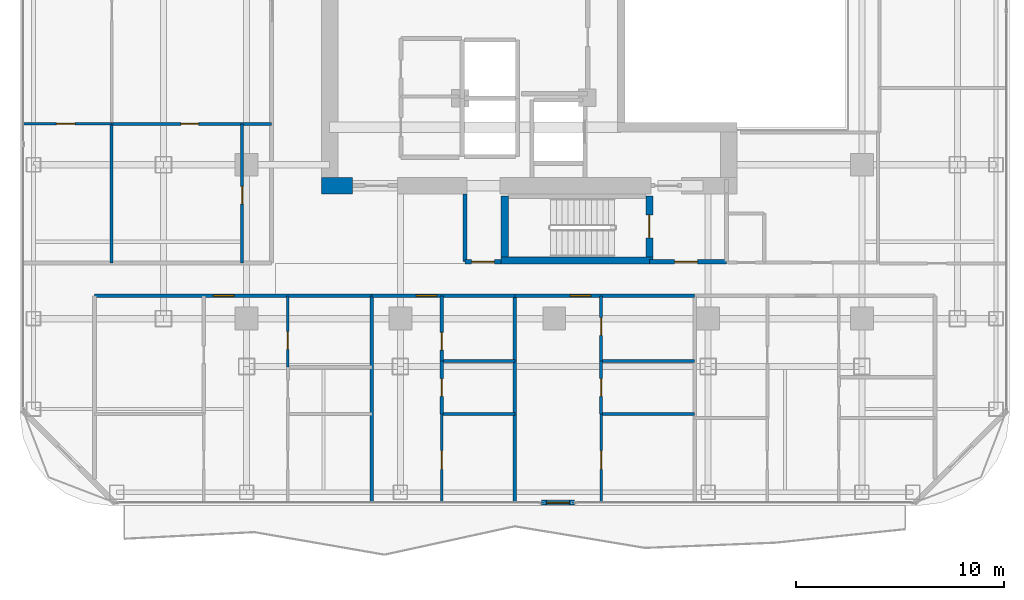
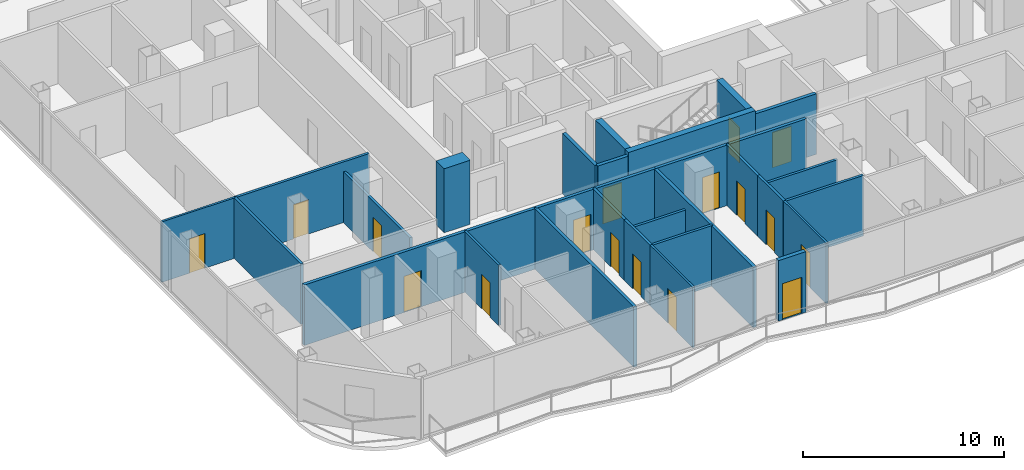
# One storey, part 18 of 25: 28 walls, 17 doors, 17 openings.
"""IFC4 building model written with IfcOpenShell, lengths in metres."""

from ifc_helpers import new_model, si_unit, direction, frame, frame_2d, origin, place, context, subcontext, project, spatial, rectangle, extrude, material, layer, layer_set, type_object, element, fill, save


model = new_model("IFC4")

# Units and contexts
model_context = context("Model", 3, precision=1e-05, world=origin(), true_north=direction((0.0, 1.0)))
body_context = subcontext(model_context, "Body", "Model", "MODEL_VIEW")
ifc_project = project(units=[si_unit("LENGTHUNIT", "METRE"), si_unit("AREAUNIT", "SQUARE_METRE"), si_unit("VOLUMEUNIT", "CUBIC_METRE"), si_unit("PLANEANGLEUNIT", "RADIAN"), si_unit("MASSUNIT", "GRAM", prefix="KILO")], contexts=[model_context])

# Site, building, storey
site_placement = place(None, origin())
site = spatial("IfcSite", under=ifc_project, at=site_placement, CompositionType="ELEMENT")
building_placement = place(site_placement, origin())
building = spatial("IfcBuilding", under=site, at=building_placement, Name="Khorvyn Point Tower", CompositionType="ELEMENT")
storey_placement = place(building_placement, frame((0.0, 0.0, 171.89990234375)))
storey = spatial("IfcBuildingStorey", under=building, at=storey_placement, Name="L42", CompositionType="ELEMENT", Elevation=171.89990234375)

# Wall, opening, door
ifc_material_1 = material(Name="Double acoustic gypsum on twin steel stud", Category="steel")
ifc_layer_1 = layer(ifc_material_1, 0.179931640625)
ifc_layer_set_1 = layer_set([ifc_layer_1], Name="Acoustic Double-Stud Apartment Demising Wall 180")
wall_type_1 = type_object("IfcWallType", Name="Acoustic Double-Stud Apartment Demising Wall 180", PredefinedType="PARTITIONING", material=ifc_layer_set_1)
wall_1_placement = place(storey_placement, frame((-22.1201171875, -13.699951171875, 0.0), z_axis=(0.0, 0.0, 1.0), x_axis=(1.0, 0.0, 0.0)))
wall_1 = element("IfcWall", 1, at=wall_1_placement, inside=storey, type_object=wall_type_1, Name="Wall", PredefinedType="PARTITIONING", context=body_context, shape_type="SweptSolid", body=[
    extrude(rectangle(XDim=13.34521484375, YDim=0.179931640625, at=frame_2d((6.672607421875, 0.0))), origin(), (0.0, 0.0, 1.0), 3.68017578125),
])
opening_1_placement = place(wall_1_placement, frame((5.723876953125, 0.0, 0.0)))
opening_1 = element("IfcOpeningElement", 2, at=opening_1_placement, cuts=wall_1, Name="Opening ID-AP60", PredefinedType="OPENING", context=body_context, shape_type="SweptSolid", body=[
    extrude(rectangle(XDim=1.0, YDim=2.199951171875, at=frame_2d((0.5, 1.10009765625))), frame((0.0, 0.099853515625, 0.0), z_axis=(0.0, -1.0, 0.0), x_axis=(1.0, 0.0, 0.0)), (0.0, 0.0, 1.0), 0.199951171875),
])
ifc_material_2 = material(Name="Engineered hardwood fire-rated leaf", Category="wood")
door_type_1 = type_object("IfcDoorType", Name="Acoustic Solid-Core Timber Apartment Entrance Door 1000x2200", OperationType="NOTDEFINED", PredefinedType="DOOR", material=ifc_material_2)
door_1_placement = place(opening_1_placement, origin())
door_1 = element("IfcDoor", 3, at=door_1_placement, inside=storey, type_object=door_type_1, Name="Door", OperationType="SINGLE_SWING_LEFT", OverallHeight=2.199951171875, OverallWidth=1.0, PredefinedType="DOOR", context=body_context, shape_type="SweptSolid", body=[
    extrude(rectangle(XDim=1.0, YDim=2.199951171875, at=frame_2d((0.5, 1.10009765625))), frame((0.0, 0.02490234375, 0.0), z_axis=(0.0, -1.0, 0.0), x_axis=(1.0, 0.0, 0.0)), (0.0, 0.0, 1.0), 0.050048828125),
])
fill(opening_1, door_1)

wall_2_placement = place(storey_placement, frame((-8.77490234375, -13.699951171875, 0.0), z_axis=(0.0, 0.0, 1.0), x_axis=(1.0, 0.0, 0.0)))
wall_2 = element("IfcWall", 4, at=wall_2_placement, inside=storey, type_object=wall_type_1, Name="Wall", PredefinedType="PARTITIONING", context=body_context, shape_type="SweptSolid", body=[
    extrude(rectangle(XDim=6.875, YDim=0.179931640625, at=frame_2d((3.4375, 0.0))), origin(), (0.0, 0.0, 1.0), 3.68017578125),
])
opening_2_placement = place(wall_2_placement, frame((2.131103515625, 0.0, 0.0)))
opening_2 = element("IfcOpeningElement", 5, at=opening_2_placement, cuts=wall_2, Name="Opening ID-AP60", PredefinedType="OPENING", context=body_context, shape_type="SweptSolid", body=[
    extrude(rectangle(XDim=1.0, YDim=2.199951171875, at=frame_2d((0.5, 1.10009765625))), frame((0.0, 0.099853515625, 0.0), z_axis=(0.0, -1.0, 0.0), x_axis=(1.0, 0.0, 0.0)), (0.0, 0.0, 1.0), 0.199951171875),
])
door_2_placement = place(opening_2_placement, origin())
door_2 = element("IfcDoor", 6, at=door_2_placement, inside=storey, type_object=door_type_1, Name="Door", OperationType="SINGLE_SWING_LEFT", OverallHeight=2.199951171875, OverallWidth=1.0, PredefinedType="DOOR", context=body_context, shape_type="SweptSolid", body=[
    extrude(rectangle(XDim=1.0, YDim=2.199951171875, at=frame_2d((0.5, 1.10009765625))), frame((0.0, 0.02490234375, 0.0), z_axis=(0.0, -1.0, 0.0), x_axis=(1.0, 0.0, 0.0)), (0.0, 0.0, 1.0), 0.050048828125),
])
fill(opening_2, door_2)

wall_3_placement = place(storey_placement, frame((-1.89990234375, -13.699951171875, 0.0), z_axis=(0.0, 0.0, 1.0), x_axis=(1.0, 0.0, 0.0)))
wall_3 = element("IfcWall", 7, at=wall_3_placement, inside=storey, type_object=wall_type_1, Name="Wall", PredefinedType="PARTITIONING", context=body_context, shape_type="SweptSolid", body=[
    extrude(rectangle(XDim=8.65380859375, YDim=0.179931640625, at=frame_2d((4.326904296875, 0.0))), origin(), (0.0, 0.0, 1.0), 3.68017578125),
])
opening_3_placement = place(wall_3_placement, frame((2.664306640625, 0.0, 0.0)))
opening_3 = element("IfcOpeningElement", 8, at=opening_3_placement, cuts=wall_3, Name="Opening ID-AP60", PredefinedType="OPENING", context=body_context, shape_type="SweptSolid", body=[
    extrude(rectangle(XDim=1.0, YDim=2.199951171875, at=frame_2d((0.5, 1.10009765625))), frame((0.0, 0.099853515625, 0.0), z_axis=(0.0, -1.0, 0.0), x_axis=(1.0, 0.0, 0.0)), (0.0, 0.0, 1.0), 0.199951171875),
])
door_3_placement = place(opening_3_placement, origin())
door_3 = element("IfcDoor", 9, at=door_3_placement, inside=storey, type_object=door_type_1, Name="Door", OperationType="SINGLE_SWING_LEFT", OverallHeight=2.199951171875, OverallWidth=1.0, PredefinedType="DOOR", context=body_context, shape_type="SweptSolid", body=[
    extrude(rectangle(XDim=1.0, YDim=2.199951171875, at=frame_2d((0.5, 1.10009765625))), frame((0.0, 0.02490234375, 0.0), z_axis=(0.0, -1.0, 0.0), x_axis=(1.0, 0.0, 0.0)), (0.0, 0.0, 1.0), 0.050048828125),
])
fill(opening_3, door_3)

# Walls
for number, where, z_axis, x_axis, name in (
    (10, (-8.77490234375, -23.6298828125, 0.0), (0.0, 0.0, 1.0), (0.0, 1.0, 0.0), "Wall"),
    (11, (-1.89990234375, -23.6298828125, 0.0), (0.0, 0.0, 1.0), (0.0, 1.0, 0.0), "Wall"),
):
    element("IfcWall", number, at=place(storey_placement, frame(where, z_axis=z_axis, x_axis=x_axis)), inside=storey, type_object=wall_type_1, Name=name, PredefinedType="PARTITIONING", context=body_context, shape_type="SweptSolid", body=[
        extrude(rectangle(XDim=9.929931640625, YDim=0.179931640625, at=frame_2d((4.96484375, 0.0))), origin(), (0.0, 0.0, 1.0), 3.68017578125),
    ])

# Wall, opening, door
ifc_material_3 = material(Name="Pale anodised aluminium rainscreen on steel stud", Category="steel")
ifc_layer_2 = layer(ifc_material_3, 0.239990234375)
ifc_layer_set_2 = layer_set([ifc_layer_2], Name="Anodised Aluminium Insulated Corner Spandrel Wall 240")
wall_type_2 = type_object("IfcWallType", Name="Anodised Aluminium Insulated Corner Spandrel Wall 240", PredefinedType="SOLIDWALL", material=ifc_layer_set_2)
wall_4_placement = place(storey_placement, frame((0.967041015625, -23.64990234375, 0.0), z_axis=(0.0, 0.0, 1.0), x_axis=(-1.0, 0.0, 0.0)))
wall_4 = element("IfcWall", 12, at=wall_4_placement, inside=storey, type_object=wall_type_2, Name="L42 South Outdoor Threshold Wall", PredefinedType="SOLIDWALL", context=body_context, shape_type="SweptSolid", body=[
    extrude(rectangle(XDim=1.580078125, YDim=0.239990234375, at=frame_2d((0.7900390625, 0.0))), origin(), (0.0, 0.0, 1.0), 3.68017578125),
])
opening_4_placement = place(wall_4_placement, frame((0.239990234375, 0.0, 0.0)))
opening_4 = element("IfcOpeningElement", 13, at=opening_4_placement, cuts=wall_4, Name="Opening BD-1122", PredefinedType="OPENING", context=body_context, shape_type="SweptSolid", body=[
    extrude(rectangle(XDim=1.10009765625, YDim=2.199951171875, at=frame_2d((0.550048828125, 1.10009765625))), frame((0.0, 0.1298828125, 0.0), z_axis=(0.0, -1.0, 0.0), x_axis=(1.0, 0.0, 0.0)), (0.0, 0.0, 1.0), 0.260009765625),
])
ifc_material_4 = material(Name="Anodised aluminium 6063-T6 and laminated Low-E glass", Category="aluminium")
door_type_2 = type_object("IfcDoorType", Name="Glazed Balcony and Terrace Threshold Door 1100x2200", OperationType="NOTDEFINED", PredefinedType="DOOR", material=ifc_material_4)
door_4_placement = place(opening_4_placement, origin())
door_4 = element("IfcDoor", 14, at=door_4_placement, inside=storey, type_object=door_type_2, Name="L42 South Glazed Balcony Outdoor Door", OperationType="SINGLE_SWING_LEFT", OverallHeight=2.199951171875, OverallWidth=1.10009765625, PredefinedType="DOOR", context=body_context, shape_type="SweptSolid", body=[
    extrude(rectangle(XDim=1.10009765625, YDim=2.199951171875, at=frame_2d((0.550048828125, 1.10009765625))), frame((0.0, 0.02490234375, 0.0), z_axis=(0.0, -1.0, 0.0), x_axis=(1.0, 0.0, 0.0)), (0.0, 0.0, 1.0), 0.050048828125),
])
fill(opening_4, door_4)

ifc_material_5 = material(Name="Concrete C40/50", Category="concrete")
ifc_layer_3 = layer(ifc_material_5, 0.199951171875)
ifc_layer_set_3 = layer_set([ifc_layer_3], Name="Concrete C40/50 Fire-Lobby Compartment Wall 200")
wall_type_3 = type_object("IfcWallType", Name="Concrete C40/50 Fire-Lobby Compartment Wall 200", PredefinedType="SOLIDWALL", material=ifc_layer_set_3)
wall_5_placement = place(storey_placement, frame((4.580078125, -12.06005859375, 0.0), z_axis=(0.0, 0.0, 1.0), x_axis=(1.0, 0.0, 0.0)))
wall_5 = element("IfcWall", 15, at=wall_5_placement, inside=storey, type_object=wall_type_3, Name="Wall", PredefinedType="SOLIDWALL", context=body_context, shape_type="SweptSolid", body=[
    extrude(rectangle(XDim=3.699951171875, YDim=0.199951171875, at=frame_2d((1.85009765625, 0.0))), origin(), (0.0, 0.0, 1.0), 3.68017578125),
])
opening_5_placement = place(wall_5_placement, frame((1.21240234375, 0.0, 0.0)))
opening_5 = element("IfcOpeningElement", 16, at=opening_5_placement, cuts=wall_5, Name="Opening ID-FL90", PredefinedType="OPENING", context=body_context, shape_type="SweptSolid", body=[
    extrude(rectangle(XDim=1.10009765625, YDim=2.14990234375, at=frame_2d((0.550048828125, 1.074951171875))), frame((0.0, 0.10986328125, 0.0), z_axis=(0.0, -1.0, 0.0), x_axis=(1.0, 0.0, 0.0)), (0.0, 0.0, 1.0), 0.219970703125),
])
ifc_material_6 = material(Name="Galvanised powder-coated steel", Category="steel")
door_type_3 = type_object("IfcDoorType", Name="Fire-Rated Steel Lobby and Stair Door 1100x2150", OperationType="NOTDEFINED", PredefinedType="DOOR", material=ifc_material_6)
door_5_placement = place(opening_5_placement, origin())
door_5 = element("IfcDoor", 17, at=door_5_placement, inside=storey, type_object=door_type_3, Name="Door", OperationType="SINGLE_SWING_RIGHT", OverallHeight=2.14990234375, OverallWidth=1.10009765625, PredefinedType="DOOR", context=body_context, shape_type="SweptSolid", body=[
    extrude(rectangle(XDim=1.10009765625, YDim=2.14990234375, at=frame_2d((0.550048828125, 1.074951171875))), frame((0.0, 0.02490234375, 0.0), z_axis=(0.0, -1.0, 0.0), x_axis=(1.0, 0.0, 0.0)), (0.0, 0.0, 1.0), 0.050048828125),
])
fill(opening_5, door_5)

wall_6_placement = place(storey_placement, frame((-4.300048828125, -12.06005859375, 0.0), z_axis=(0.0, 0.0, 1.0), x_axis=(1.0, 0.0, 0.0)))
wall_6 = element("IfcWall", 18, at=wall_6_placement, inside=storey, type_object=wall_type_3, Name="Wall", PredefinedType="SOLIDWALL", context=body_context, shape_type="SweptSolid", body=[
    extrude(rectangle(XDim=1.75, YDim=0.199951171875, at=frame_2d((0.875, 0.0))), origin(), (0.0, 0.0, 1.0), 3.68017578125),
])
opening_6_placement = place(wall_6_placement, frame((0.324951171875, 0.0, 0.0)))
opening_6 = element("IfcOpeningElement", 19, at=opening_6_placement, cuts=wall_6, Name="Opening ID-FL90", PredefinedType="OPENING", context=body_context, shape_type="SweptSolid", body=[
    extrude(rectangle(XDim=1.10009765625, YDim=2.14990234375, at=frame_2d((0.550048828125, 1.074951171875))), frame((0.0, 0.10986328125, 0.0), z_axis=(0.0, -1.0, 0.0), x_axis=(1.0, 0.0, 0.0)), (0.0, 0.0, 1.0), 0.219970703125),
])
door_6_placement = place(opening_6_placement, origin())
door_6 = element("IfcDoor", 20, at=door_6_placement, inside=storey, type_object=door_type_3, Name="Door", OperationType="SINGLE_SWING_LEFT", OverallHeight=2.14990234375, OverallWidth=1.10009765625, PredefinedType="DOOR", context=body_context, shape_type="SweptSolid", body=[
    extrude(rectangle(XDim=1.10009765625, YDim=2.14990234375, at=frame_2d((0.550048828125, 1.074951171875))), frame((0.0, 0.02490234375, 0.0), z_axis=(0.0, -1.0, 0.0), x_axis=(1.0, 0.0, 0.0)), (0.0, 0.0, 1.0), 0.050048828125),
])
fill(opening_6, door_6)

# Walls
wall_7_placement = place(storey_placement, frame((-4.300048828125, -12.06005859375, 0.0), z_axis=(0.0, 0.0, 1.0), x_axis=(0.0, 1.0, 0.0)))
element("IfcWall", 21, at=wall_7_placement, inside=storey, type_object=wall_type_3, Name="Wall", PredefinedType="SOLIDWALL", context=body_context, shape_type="SweptSolid", body=[
    extrude(rectangle(XDim=3.260009765625, YDim=0.199951171875, at=frame_2d((1.6298828125, 0.0))), origin(), (0.0, 0.0, 1.0), 3.68017578125),
])
ifc_layer_4 = layer(ifc_material_5, 0.35009765625)
ifc_layer_set_4 = layer_set([ifc_layer_4], Name="Concrete C40/50 Stair Shaft Structural Wall 350")
wall_type_4 = type_object("IfcWallType", Name="Concrete C40/50 Stair Shaft Structural Wall 350", PredefinedType="SHEAR", material=ifc_layer_set_4)
wall_8_placement = place(storey_placement, frame((-2.554931640625, -12.0, 0.0), z_axis=(0.0, 0.0, 1.0), x_axis=(1.0, 0.0, 0.0)))
element("IfcWall", 22, at=wall_8_placement, inside=storey, type_object=wall_type_4, Name="L42 ST-01 South Shaft Wall", PredefinedType="SHEAR", context=body_context, shape_type="SweptSolid", body=[
    extrude(rectangle(XDim=7.309814453125, YDim=0.35009765625, at=frame_2d((3.65478515625, 0.0))), origin(), (0.0, 0.0, 1.0), 3.900146484375),
])
wall_9_placement = place(storey_placement, frame((-2.3798828125, -11.824951171875, 0.0), z_axis=(0.0, 0.0, 1.0), x_axis=(0.0, 1.0, 0.0)))
element("IfcWall", 23, at=wall_9_placement, inside=storey, type_object=wall_type_4, Name="L42 ST-01 West Shaft Wall", PredefinedType="SHEAR", context=body_context, shape_type="SweptSolid", body=[
    extrude(rectangle(XDim=2.925048828125, YDim=0.35009765625, at=frame_2d((1.46240234375, 0.0))), origin(), (0.0, 0.0, 1.0), 3.900146484375),
])

# Wall, opening, door
wall_10_placement = place(storey_placement, frame((4.580078125, -8.89990234375, 0.0), z_axis=(0.0, 0.0, 1.0), x_axis=(0.0, -1.0, 0.0)))
wall_10 = element("IfcWall", 24, at=wall_10_placement, inside=storey, type_object=wall_type_4, Name="L42 ST-01 East Landing Door Wall", PredefinedType="SHEAR", context=body_context, shape_type="SweptSolid", body=[
    extrude(rectangle(XDim=2.925048828125, YDim=0.35009765625, at=frame_2d((1.46240234375, 0.0))), origin(), (0.0, 0.0, 1.0), 3.900146484375),
])
opening_7_placement = place(wall_10_placement, frame((0.91259765625, 0.0, 0.0)))
opening_7 = element("IfcOpeningElement", 25, at=opening_7_placement, cuts=wall_10, Name="Opening ID-FL90", PredefinedType="OPENING", context=body_context, shape_type="SweptSolid", body=[
    extrude(rectangle(XDim=1.10009765625, YDim=2.14990234375, at=frame_2d((0.550048828125, 1.074951171875))), frame((0.0, 0.18505859375, 0.0), z_axis=(0.0, -1.0, 0.0), x_axis=(1.0, 0.0, 0.0)), (0.0, 0.0, 1.0), 0.3701171875),
])
door_7_placement = place(opening_7_placement, origin())
door_7 = element("IfcDoor", 26, at=door_7_placement, inside=storey, type_object=door_type_3, Name="L42 ST-01 Smokeproof Landing Door", OperationType="SINGLE_SWING_RIGHT", OverallHeight=2.14990234375, OverallWidth=1.10009765625, PredefinedType="DOOR", context=body_context, shape_type="SweptSolid", body=[
    extrude(rectangle(XDim=1.10009765625, YDim=2.14990234375, at=frame_2d((0.550048828125, 1.074951171875))), frame((0.0, 0.02490234375, 0.0), z_axis=(0.0, -1.0, 0.0), x_axis=(1.0, 0.0, 0.0)), (0.0, 0.0, 1.0), 0.050048828125),
])
fill(opening_7, door_7)

# Wall
ifc_material_7 = material(Name="Concrete C45/55", Category="concrete")
ifc_layer_5 = layer(ifc_material_7, 0.800048828125)
ifc_layer_set_5 = layer_set([ifc_layer_5], Name="Concrete C45/55 Core Shear Wall 800")
wall_type_5 = type_object("IfcWallType", Name="Concrete C45/55 Core Shear Wall 800", PredefinedType="SHEAR", material=ifc_layer_set_5)
wall_11_placement = place(storey_placement, frame((-11.199951171875, -8.39990234375, 0.0), z_axis=(0.0, 0.0, 1.0), x_axis=(1.0, 0.0, 0.0)))
element("IfcWall", 27, at=wall_11_placement, inside=storey, type_object=wall_type_5, Name="Wall", PredefinedType="SHEAR", context=body_context, shape_type="SweptSolid", body=[
    extrude(rectangle(XDim=1.5, YDim=0.800048828125, at=frame_2d((0.75, 0.0))), origin(), (0.0, 0.0, 1.0), 3.900146484375),
])

# Wall, opening, door
ifc_material_8 = material(Name="Gypsum plasterboard on steel stud", Category="steel")
ifc_layer_6 = layer(ifc_material_8, 0.1201171875)
ifc_layer_set_6 = layer_set([ifc_layer_6], Name="Gypsum Acoustic Stud Room Partition Wall 120")
wall_type_6 = type_object("IfcWallType", Name="Gypsum Acoustic Stud Room Partition Wall 120", PredefinedType="PARTITIONING", material=ifc_layer_set_6)
wall_12_placement = place(storey_placement, frame((-12.81591796875, -17.136962890625, 0.0), z_axis=(0.0, 0.0, 1.0), x_axis=(0.0, 1.0, 0.0)))
wall_12 = element("IfcWall", 28, at=wall_12_placement, inside=storey, type_object=wall_type_6, Name="Wall", PredefinedType="PARTITIONING", context=body_context, shape_type="SweptSolid", body=[
    extrude(rectangle(XDim=3.43701171875, YDim=0.1201171875, at=frame_2d((1.718505859375, 0.0))), origin(), (0.0, 0.0, 1.0), 3.68017578125),
])
opening_8_placement = place(wall_12_placement, frame((0.857421875, 0.0, 0.0)))
opening_8 = element("IfcOpeningElement", 29, at=opening_8_placement, cuts=wall_12, Name="Opening ID-WC85", PredefinedType="OPENING", context=body_context, shape_type="SweptSolid", body=[
    extrude(rectangle(XDim=0.85009765625, YDim=2.10009765625, at=frame_2d((0.425048828125, 1.050048828125))), frame((0.0, 0.070068359375, 0.0), z_axis=(0.0, -1.0, 0.0), x_axis=(1.0, 0.0, 0.0)), (0.0, 0.0, 1.0), 0.14013671875),
])
ifc_material_9 = material(Name="High-pressure laminate on moisture-resistant core", Category="wood")
door_type_4 = type_object("IfcDoorType", Name="Moisture-Resistant Accessible Washroom Door 850x2100", OperationType="NOTDEFINED", PredefinedType="DOOR", material=ifc_material_9)
door_8_placement = place(opening_8_placement, origin())
door_8 = element("IfcDoor", 30, at=door_8_placement, inside=storey, type_object=door_type_4, Name="Door", OperationType="SINGLE_SWING_LEFT", OverallHeight=2.10009765625, OverallWidth=0.85009765625, PredefinedType="DOOR", context=body_context, shape_type="SweptSolid", body=[
    extrude(rectangle(XDim=0.85009765625, YDim=2.10009765625, at=frame_2d((0.425048828125, 1.050048828125))), frame((0.0, 0.02490234375, 0.0), z_axis=(0.0, -1.0, 0.0), x_axis=(1.0, 0.0, 0.0)), (0.0, 0.0, 1.0), 0.050048828125),
])
fill(opening_8, door_8)

wall_13_placement = place(storey_placement, frame((-5.4140625, -23.6298828125, 0.0), z_axis=(0.0, 0.0, 1.0), x_axis=(0.0, 1.0, 0.0)))
wall_13 = element("IfcWall", 31, at=wall_13_placement, inside=storey, type_object=wall_type_6, Name="Wall", PredefinedType="PARTITIONING", context=body_context, shape_type="SweptSolid", body=[
    extrude(rectangle(XDim=4.239990234375, YDim=0.1201171875, at=frame_2d((2.1201171875, 0.0))), origin(), (0.0, 0.0, 1.0), 3.68017578125),
])
opening_9_placement = place(wall_13_placement, frame((1.581298828125, 0.0, 0.0)))
opening_9 = element("IfcOpeningElement", 32, at=opening_9_placement, cuts=wall_13, Name="Opening ID-RM90", PredefinedType="OPENING", context=body_context, shape_type="SweptSolid", body=[
    extrude(rectangle(XDim=0.89990234375, YDim=2.10009765625, at=frame_2d((0.449951171875, 1.050048828125))), frame((0.0, 0.070068359375, 0.0), z_axis=(0.0, -1.0, 0.0), x_axis=(1.0, 0.0, 0.0)), (0.0, 0.0, 1.0), 0.14013671875),
])
ifc_material_10 = material(Name="Engineered oak veneer timber", Category="wood")
door_type_5 = type_object("IfcDoorType", Name="Flush Engineered Timber Room Door 900x2100", OperationType="NOTDEFINED", PredefinedType="DOOR", material=ifc_material_10)
door_9_placement = place(opening_9_placement, origin())
door_9 = element("IfcDoor", 33, at=door_9_placement, inside=storey, type_object=door_type_5, Name="Door", OperationType="SINGLE_SWING_RIGHT", OverallHeight=2.10009765625, OverallWidth=0.89990234375, PredefinedType="DOOR", context=body_context, shape_type="SweptSolid", body=[
    extrude(rectangle(XDim=0.89990234375, YDim=2.10009765625, at=frame_2d((0.449951171875, 1.050048828125))), frame((0.0, 0.02490234375, 0.0), z_axis=(0.0, -1.0, 0.0), x_axis=(1.0, 0.0, 0.0)), (0.0, 0.0, 1.0), 0.050048828125),
])
fill(opening_9, door_9)

wall_14_placement = place(storey_placement, frame((2.25390625, -23.6298828125, 0.0), z_axis=(0.0, 0.0, 1.0), x_axis=(0.0, 1.0, 0.0)))
wall_14 = element("IfcWall", 34, at=wall_14_placement, inside=storey, type_object=wall_type_6, Name="Wall", PredefinedType="PARTITIONING", context=body_context, shape_type="SweptSolid", body=[
    extrude(rectangle(XDim=4.239990234375, YDim=0.1201171875, at=frame_2d((2.1201171875, 0.0))), origin(), (0.0, 0.0, 1.0), 3.68017578125),
])
opening_10_placement = place(wall_14_placement, frame((1.581298828125, 0.0, 0.0)))
opening_10 = element("IfcOpeningElement", 35, at=opening_10_placement, cuts=wall_14, Name="Opening ID-RM90", PredefinedType="OPENING", context=body_context, shape_type="SweptSolid", body=[
    extrude(rectangle(XDim=0.89990234375, YDim=2.10009765625, at=frame_2d((0.449951171875, 1.050048828125))), frame((0.0, 0.070068359375, 0.0), z_axis=(0.0, -1.0, 0.0), x_axis=(1.0, 0.0, 0.0)), (0.0, 0.0, 1.0), 0.14013671875),
])
door_10_placement = place(opening_10_placement, origin())
door_10 = element("IfcDoor", 36, at=door_10_placement, inside=storey, type_object=door_type_5, Name="Door", OperationType="SINGLE_SWING_RIGHT", OverallHeight=2.10009765625, OverallWidth=0.89990234375, PredefinedType="DOOR", context=body_context, shape_type="SweptSolid", body=[
    extrude(rectangle(XDim=0.89990234375, YDim=2.10009765625, at=frame_2d((0.449951171875, 1.050048828125))), frame((0.0, 0.02490234375, 0.0), z_axis=(0.0, -1.0, 0.0), x_axis=(1.0, 0.0, 0.0)), (0.0, 0.0, 1.0), 0.050048828125),
])
fill(opening_10, door_10)

wall_15_placement = place(storey_placement, frame((-25.530029296875, -5.43603515625, 0.0), z_axis=(0.0, 0.0, 1.0), x_axis=(1.0, 0.0, 0.0)))
wall_15 = element("IfcWall", 37, at=wall_15_placement, inside=storey, type_object=wall_type_6, Name="Wall", PredefinedType="PARTITIONING", context=body_context, shape_type="SweptSolid", body=[
    extrude(rectangle(XDim=4.239990234375, YDim=0.1201171875, at=frame_2d((2.1201171875, 0.0))), origin(), (0.0, 0.0, 1.0), 3.68017578125),
])
opening_11_placement = place(wall_15_placement, frame((1.581298828125, 0.0, 0.0)))
opening_11 = element("IfcOpeningElement", 38, at=opening_11_placement, cuts=wall_15, Name="Opening ID-RM90", PredefinedType="OPENING", context=body_context, shape_type="SweptSolid", body=[
    extrude(rectangle(XDim=0.89990234375, YDim=2.10009765625, at=frame_2d((0.449951171875, 1.050048828125))), frame((0.0, 0.070068359375, 0.0), z_axis=(0.0, -1.0, 0.0), x_axis=(1.0, 0.0, 0.0)), (0.0, 0.0, 1.0), 0.14013671875),
])
door_11_placement = place(opening_11_placement, origin())
door_11 = element("IfcDoor", 39, at=door_11_placement, inside=storey, type_object=door_type_5, Name="Door", OperationType="SINGLE_SWING_LEFT", OverallHeight=2.10009765625, OverallWidth=0.89990234375, PredefinedType="DOOR", context=body_context, shape_type="SweptSolid", body=[
    extrude(rectangle(XDim=0.89990234375, YDim=2.10009765625, at=frame_2d((0.449951171875, 1.050048828125))), frame((0.0, 0.02490234375, 0.0), z_axis=(0.0, -1.0, 0.0), x_axis=(1.0, 0.0, 0.0)), (0.0, 0.0, 1.0), 0.050048828125),
])
fill(opening_11, door_11)

ifc_material_11 = material(Name="Moisture-resistant gypsum and cement board", Category="gypsum")
ifc_layer_7 = layer(ifc_material_11, 0.14990234375)
ifc_layer_set_7 = layer_set([ifc_layer_7], Name="Moisture-Resistant Wet-Room Partition Wall 150")
wall_type_7 = type_object("IfcWallType", Name="Moisture-Resistant Wet-Room Partition Wall 150", PredefinedType="PARTITIONING", material=ifc_layer_set_7)
wall_16_placement = place(storey_placement, frame((-5.4140625, -16.8291015625, 0.0), z_axis=(0.0, 0.0, 1.0), x_axis=(0.0, 1.0, 0.0)))
wall_16 = element("IfcWall", 40, at=wall_16_placement, inside=storey, type_object=wall_type_7, Name="Wall", PredefinedType="PARTITIONING", context=body_context, shape_type="SweptSolid", body=[
    extrude(rectangle(XDim=3.129150390625, YDim=0.14990234375, at=frame_2d((1.564453125, 0.0))), origin(), (0.0, 0.0, 1.0), 3.68017578125),
])
opening_12_placement = place(wall_16_placement, frame((0.51611328125, 0.0, 0.0)))
opening_12 = element("IfcOpeningElement", 41, at=opening_12_placement, cuts=wall_16, Name="Opening ID-WC85", PredefinedType="OPENING", context=body_context, shape_type="SweptSolid", body=[
    extrude(rectangle(XDim=0.85009765625, YDim=2.10009765625, at=frame_2d((0.425048828125, 1.050048828125))), frame((0.0, 0.0849609375, 0.0), z_axis=(0.0, -1.0, 0.0), x_axis=(1.0, 0.0, 0.0)), (0.0, 0.0, 1.0), 0.169921875),
])
door_12_placement = place(opening_12_placement, origin())
door_12 = element("IfcDoor", 42, at=door_12_placement, inside=storey, type_object=door_type_4, Name="Door", OperationType="SINGLE_SWING_RIGHT", OverallHeight=2.10009765625, OverallWidth=0.85009765625, PredefinedType="DOOR", context=body_context, shape_type="SweptSolid", body=[
    extrude(rectangle(XDim=0.85009765625, YDim=2.10009765625, at=frame_2d((0.425048828125, 1.050048828125))), frame((0.0, 0.02490234375, 0.0), z_axis=(0.0, -1.0, 0.0), x_axis=(1.0, 0.0, 0.0)), (0.0, 0.0, 1.0), 0.050048828125),
])
fill(opening_12, door_12)

wall_17_placement = place(storey_placement, frame((-5.4140625, -19.389892578125, 0.0), z_axis=(0.0, 0.0, 1.0), x_axis=(0.0, 1.0, 0.0)))
wall_17 = element("IfcWall", 43, at=wall_17_placement, inside=storey, type_object=wall_type_7, Name="Wall", PredefinedType="PARTITIONING", context=body_context, shape_type="SweptSolid", body=[
    extrude(rectangle(XDim=2.560791015625, YDim=0.14990234375, at=frame_2d((1.2802734375, 0.0))), origin(), (0.0, 0.0, 1.0), 3.68017578125),
])
opening_13_placement = place(wall_17_placement, frame((0.85546875, 0.0, 0.0)))
opening_13 = element("IfcOpeningElement", 44, at=opening_13_placement, cuts=wall_17, Name="Opening ID-WC85", PredefinedType="OPENING", context=body_context, shape_type="SweptSolid", body=[
    extrude(rectangle(XDim=0.85009765625, YDim=2.10009765625, at=frame_2d((0.425048828125, 1.050048828125))), frame((0.0, 0.0849609375, 0.0), z_axis=(0.0, -1.0, 0.0), x_axis=(1.0, 0.0, 0.0)), (0.0, 0.0, 1.0), 0.169921875),
])
door_13_placement = place(opening_13_placement, origin())
door_13 = element("IfcDoor", 45, at=door_13_placement, inside=storey, type_object=door_type_4, Name="Door", OperationType="SINGLE_SWING_LEFT", OverallHeight=2.10009765625, OverallWidth=0.85009765625, PredefinedType="DOOR", context=body_context, shape_type="SweptSolid", body=[
    extrude(rectangle(XDim=0.85009765625, YDim=2.10009765625, at=frame_2d((0.425048828125, 1.050048828125))), frame((0.0, 0.02490234375, 0.0), z_axis=(0.0, -1.0, 0.0), x_axis=(1.0, 0.0, 0.0)), (0.0, 0.0, 1.0), 0.050048828125),
])
fill(opening_13, door_13)

wall_18_placement = place(storey_placement, frame((2.25390625, -16.8291015625, 0.0), z_axis=(0.0, 0.0, 1.0), x_axis=(0.0, 1.0, 0.0)))
wall_18 = element("IfcWall", 46, at=wall_18_placement, inside=storey, type_object=wall_type_7, Name="Wall", PredefinedType="PARTITIONING", context=body_context, shape_type="SweptSolid", body=[
    extrude(rectangle(XDim=3.129150390625, YDim=0.14990234375, at=frame_2d((1.564453125, 0.0))), origin(), (0.0, 0.0, 1.0), 3.68017578125),
])
opening_14_placement = place(wall_18_placement, frame((1.228515625, 0.0, 0.0)))
opening_14 = element("IfcOpeningElement", 47, at=opening_14_placement, cuts=wall_18, Name="Opening ID-WC85", PredefinedType="OPENING", context=body_context, shape_type="SweptSolid", body=[
    extrude(rectangle(XDim=0.85009765625, YDim=2.10009765625, at=frame_2d((0.425048828125, 1.050048828125))), frame((0.0, 0.0849609375, 0.0), z_axis=(0.0, -1.0, 0.0), x_axis=(1.0, 0.0, 0.0)), (0.0, 0.0, 1.0), 0.169921875),
])
door_14_placement = place(opening_14_placement, origin())
door_14 = element("IfcDoor", 48, at=door_14_placement, inside=storey, type_object=door_type_4, Name="Door", OperationType="SINGLE_SWING_RIGHT", OverallHeight=2.10009765625, OverallWidth=0.85009765625, PredefinedType="DOOR", context=body_context, shape_type="SweptSolid", body=[
    extrude(rectangle(XDim=0.85009765625, YDim=2.10009765625, at=frame_2d((0.425048828125, 1.050048828125))), frame((0.0, 0.02490234375, 0.0), z_axis=(0.0, -1.0, 0.0), x_axis=(1.0, 0.0, 0.0)), (0.0, 0.0, 1.0), 0.050048828125),
])
fill(opening_14, door_14)

wall_19_placement = place(storey_placement, frame((2.25390625, -19.389892578125, 0.0), z_axis=(0.0, 0.0, 1.0), x_axis=(0.0, 1.0, 0.0)))
wall_19 = element("IfcWall", 49, at=wall_19_placement, inside=storey, type_object=wall_type_7, Name="Wall", PredefinedType="PARTITIONING", context=body_context, shape_type="SweptSolid", body=[
    extrude(rectangle(XDim=2.560791015625, YDim=0.14990234375, at=frame_2d((1.2802734375, 0.0))), origin(), (0.0, 0.0, 1.0), 3.68017578125),
])
opening_15_placement = place(wall_19_placement, frame((0.85546875, 0.0, 0.0)))
opening_15 = element("IfcOpeningElement", 50, at=opening_15_placement, cuts=wall_19, Name="Opening ID-WC85", PredefinedType="OPENING", context=body_context, shape_type="SweptSolid", body=[
    extrude(rectangle(XDim=0.85009765625, YDim=2.10009765625, at=frame_2d((0.425048828125, 1.050048828125))), frame((0.0, 0.0849609375, 0.0), z_axis=(0.0, -1.0, 0.0), x_axis=(1.0, 0.0, 0.0)), (0.0, 0.0, 1.0), 0.169921875),
])
door_15_placement = place(opening_15_placement, origin())
door_15 = element("IfcDoor", 51, at=door_15_placement, inside=storey, type_object=door_type_4, Name="Door", OperationType="SINGLE_SWING_LEFT", OverallHeight=2.10009765625, OverallWidth=0.85009765625, PredefinedType="DOOR", context=body_context, shape_type="SweptSolid", body=[
    extrude(rectangle(XDim=0.85009765625, YDim=2.10009765625, at=frame_2d((0.425048828125, 1.050048828125))), frame((0.0, 0.02490234375, 0.0), z_axis=(0.0, -1.0, 0.0), x_axis=(1.0, 0.0, 0.0)), (0.0, 0.0, 1.0), 0.050048828125),
])
fill(opening_15, door_15)

wall_20_placement = place(storey_placement, frame((-15.02001953125, -12.1201171875, 0.0), z_axis=(0.0, 0.0, 1.0), x_axis=(0.0, 1.0, 0.0)))
wall_20 = element("IfcWall", 52, at=wall_20_placement, inside=storey, type_object=wall_type_7, Name="Wall", PredefinedType="PARTITIONING", context=body_context, shape_type="SweptSolid", body=[
    extrude(rectangle(XDim=6.68408203125, YDim=0.14990234375, at=frame_2d((3.342041015625, 0.0))), origin(), (0.0, 0.0, 1.0), 3.08203125),
])
opening_16_placement = place(wall_20_placement, frame((2.828125, 0.0, 0.0)))
opening_16 = element("IfcOpeningElement", 53, at=opening_16_placement, cuts=wall_20, Name="Opening ID-WC85", PredefinedType="OPENING", context=body_context, shape_type="SweptSolid", body=[
    extrude(rectangle(XDim=0.85009765625, YDim=2.10009765625, at=frame_2d((0.425048828125, 1.050048828125))), frame((0.0, 0.0849609375, 0.0), z_axis=(0.0, -1.0, 0.0), x_axis=(1.0, 0.0, 0.0)), (0.0, 0.0, 1.0), 0.169921875),
])
door_16_placement = place(opening_16_placement, origin())
door_16 = element("IfcDoor", 54, at=door_16_placement, inside=storey, type_object=door_type_4, Name="Door", OperationType="SINGLE_SWING_LEFT", OverallHeight=2.10009765625, OverallWidth=0.85009765625, PredefinedType="DOOR", context=body_context, shape_type="SweptSolid", body=[
    extrude(rectangle(XDim=0.85009765625, YDim=2.10009765625, at=frame_2d((0.425048828125, 1.050048828125))), frame((0.0, 0.02490234375, 0.0), z_axis=(0.0, -1.0, 0.0), x_axis=(1.0, 0.0, 0.0)), (0.0, 0.0, 1.0), 0.050048828125),
])
fill(opening_16, door_16)

wall_21_placement = place(storey_placement, frame((-21.2900390625, -5.43603515625, 0.0), z_axis=(0.0, 0.0, 1.0), x_axis=(1.0, 0.0, 0.0)))
wall_21 = element("IfcWall", 55, at=wall_21_placement, inside=storey, type_object=wall_type_7, Name="Wall", PredefinedType="PARTITIONING", context=body_context, shape_type="SweptSolid", body=[
    extrude(rectangle(XDim=7.68994140625, YDim=0.14990234375, at=frame_2d((3.844970703125, 0.0))), origin(), (0.0, 0.0, 1.0), 3.68017578125),
])
opening_17_placement = place(wall_21_placement, frame((3.331787109375, 0.0, 0.0)))
opening_17 = element("IfcOpeningElement", 56, at=opening_17_placement, cuts=wall_21, Name="Opening ID-WC85", PredefinedType="OPENING", context=body_context, shape_type="SweptSolid", body=[
    extrude(rectangle(XDim=0.85009765625, YDim=2.10009765625, at=frame_2d((0.425048828125, 1.050048828125))), frame((0.0, 0.0849609375, 0.0), z_axis=(0.0, -1.0, 0.0), x_axis=(1.0, 0.0, 0.0)), (0.0, 0.0, 1.0), 0.169921875),
])
door_17_placement = place(opening_17_placement, origin())
door_17 = element("IfcDoor", 57, at=door_17_placement, inside=storey, type_object=door_type_4, Name="Door", OperationType="SINGLE_SWING_RIGHT", OverallHeight=2.10009765625, OverallWidth=0.85009765625, PredefinedType="DOOR", context=body_context, shape_type="SweptSolid", body=[
    extrude(rectangle(XDim=0.85009765625, YDim=2.10009765625, at=frame_2d((0.425048828125, 1.050048828125))), frame((0.0, 0.02490234375, 0.0), z_axis=(0.0, -1.0, 0.0), x_axis=(1.0, 0.0, 0.0)), (0.0, 0.0, 1.0), 0.050048828125),
])
fill(opening_17, door_17)

# Walls
wall_22_placement = place(storey_placement, frame((-5.4140625, -16.8291015625, 0.0), z_axis=(0.0, 0.0, 1.0), x_axis=(1.0, 0.0, 0.0)))
element("IfcWall", 58, at=wall_22_placement, inside=storey, type_object=wall_type_7, Name="Wall", PredefinedType="PARTITIONING", context=body_context, shape_type="SweptSolid", body=[
    extrude(rectangle(XDim=3.51416015625, YDim=0.14990234375, at=frame_2d((1.757080078125, 0.0))), origin(), (0.0, 0.0, 1.0), 3.08203125),
])
wall_23_placement = place(storey_placement, frame((-5.4140625, -19.389892578125, 0.0), z_axis=(0.0, 0.0, 1.0), x_axis=(1.0, 0.0, 0.0)))
element("IfcWall", 59, at=wall_23_placement, inside=storey, type_object=wall_type_7, Name="Wall", PredefinedType="PARTITIONING", context=body_context, shape_type="SweptSolid", body=[
    extrude(rectangle(XDim=3.51416015625, YDim=0.14990234375, at=frame_2d((1.757080078125, 0.0))), origin(), (0.0, 0.0, 1.0), 3.68017578125),
])
wall_24_placement = place(storey_placement, frame((2.25390625, -16.8291015625, 0.0), z_axis=(0.0, 0.0, 1.0), x_axis=(1.0, 0.0, 0.0)))
element("IfcWall", 60, at=wall_24_placement, inside=storey, type_object=wall_type_7, Name="Wall", PredefinedType="PARTITIONING", context=body_context, shape_type="SweptSolid", body=[
    extrude(rectangle(XDim=4.5, YDim=0.14990234375, at=frame_2d((2.25, 0.0))), origin(), (0.0, 0.0, 1.0), 3.08203125),
])
wall_25_placement = place(storey_placement, frame((2.25390625, -19.389892578125, 0.0), z_axis=(0.0, 0.0, 1.0), x_axis=(1.0, 0.0, 0.0)))
element("IfcWall", 61, at=wall_25_placement, inside=storey, type_object=wall_type_7, Name="Wall", PredefinedType="PARTITIONING", context=body_context, shape_type="SweptSolid", body=[
    extrude(rectangle(XDim=4.5, YDim=0.14990234375, at=frame_2d((2.25, 0.0))), origin(), (0.0, 0.0, 1.0), 3.68017578125),
])
wall_26_placement = place(storey_placement, frame((-21.2900390625, -12.1201171875, 0.0), z_axis=(0.0, 0.0, 1.0), x_axis=(0.0, 1.0, 0.0)))
element("IfcWall", 62, at=wall_26_placement, inside=storey, type_object=wall_type_7, Name="Wall", PredefinedType="PARTITIONING", context=body_context, shape_type="SweptSolid", body=[
    extrude(rectangle(XDim=6.68408203125, YDim=0.14990234375, at=frame_2d((3.342041015625, 0.0))), origin(), (0.0, 0.0, 1.0), 3.68017578125),
])

save(model, "model.ifc")
